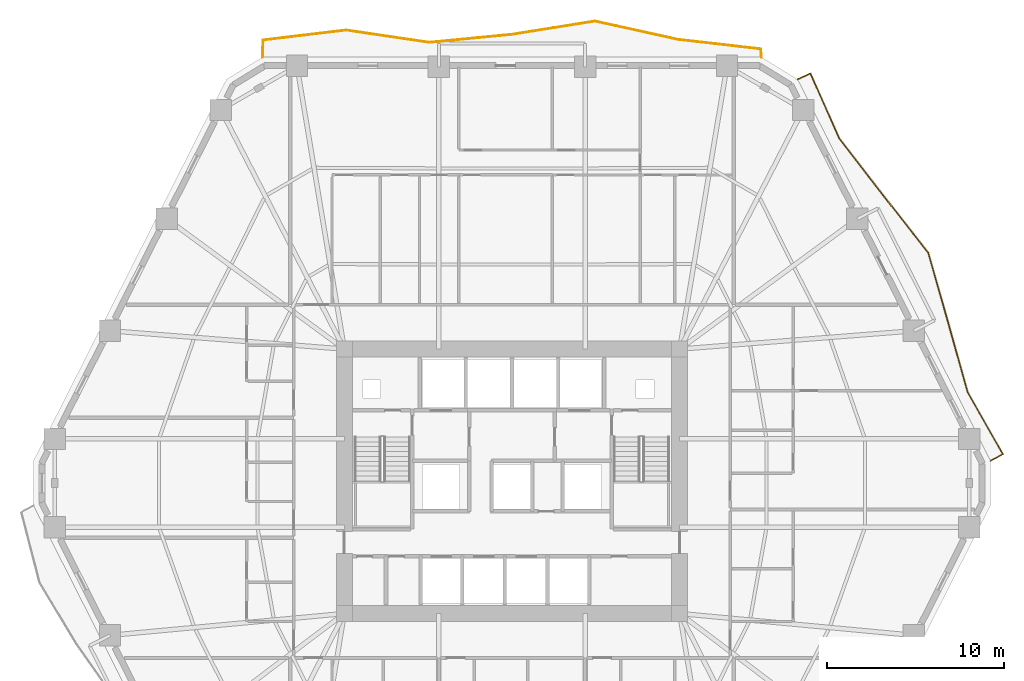
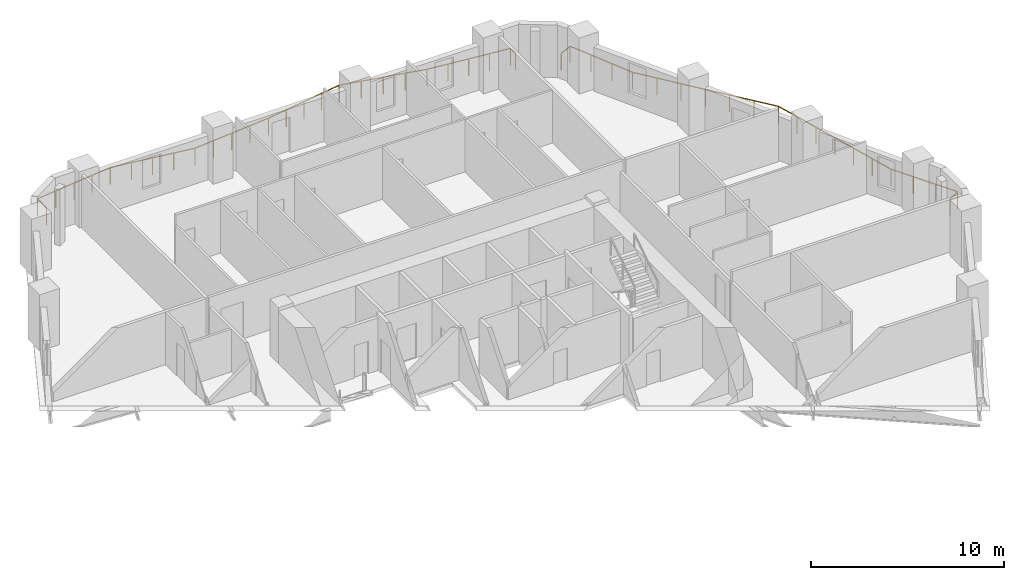
# One storey, part 11 of 11: 2 railings.
"""IFC4 building model written with IfcOpenShell, lengths in metres."""

from ifc_helpers import new_model, si_unit, direction, frame, origin, origin_2d, place, context, subcontext, project, spatial, rectangle, extrude, material, type_object, element, save


model = new_model("IFC4")

# Units and contexts
model_context = context("Model", 3, precision=1e-05, world=origin(), true_north=direction((0.0, 1.0)))
body_context = subcontext(model_context, "Body", "Model", "MODEL_VIEW")
ifc_project = project(units=[si_unit("LENGTHUNIT", "METRE"), si_unit("AREAUNIT", "SQUARE_METRE"), si_unit("VOLUMEUNIT", "CUBIC_METRE"), si_unit("PLANEANGLEUNIT", "RADIAN"), si_unit("MASSUNIT", "GRAM", prefix="KILO")], contexts=[model_context])

# Site, building, storey
site_placement = place(None, origin())
site = spatial("IfcSite", under=ifc_project, at=site_placement, CompositionType="ELEMENT")
building_placement = place(site_placement, origin())
building = spatial("IfcBuilding", under=site, at=building_placement, Name="Cinnabar Lancet Tower", CompositionType="ELEMENT")
storey_placement = place(building_placement, frame((0.0, 0.0, 42.64990234375)))
storey = spatial("IfcBuildingStorey", under=building, at=storey_placement, Name="L10", CompositionType="ELEMENT", Elevation=42.64990234375)

# Railings
ifc_material = material(Name="Laminated safety glass and bronze stainless steel balustrade", Category="steel")
railing_type = type_object("IfcRailingType", Name="ENV-RLG-BAL-1100", PredefinedType="BALUSTRADE", material=ifc_material)
railing_1_placement = place(storey_placement, frame((59.367919921875, 27.049072265625, 0.0)))
element("IfcRailing", 1, at=railing_1_placement, inside=storey, type_object=railing_type, Name="L10 Face 3 Wave Balcony Balustrade", PredefinedType="BALUSTRADE", context=body_context, shape_type="SweptSolid", body=[
    extrude(rectangle(XDim=0.048095703125, YDim=0.048095703125, at=origin_2d()), frame((0.0, 0.0, 1.076171875), z_axis=(0.875595888351, 0.483044346104, 0.0), x_axis=(-0.483044346104, 0.875595888351, 0.0)), (0.0, 0.0, 1.0), 0.782470703125),
    extrude(rectangle(XDim=0.048095703125, YDim=0.048095703125, at=origin_2d()), frame((0.68505859375, 0.3779296875, 1.076171875), z_axis=(-0.493554512608, 0.869714863093, 0.0), x_axis=(-0.869714863093, -0.493554512608, 0.0)), (0.0, 0.0, 1.0), 4.01171875),
    extrude(rectangle(XDim=0.048095703125, YDim=0.048095703125, at=origin_2d()), frame((-1.294921875, 3.866943359375, 1.076171875), z_axis=(-0.269363836925, 0.963038484878, 0.0), x_axis=(-0.963038484878, -0.269363836925, 0.0)), (0.0, 0.0, 1.0), 4.083984375),
    extrude(rectangle(XDim=0.048095703125, YDim=0.048095703125, at=origin_2d()), frame((-2.39501953125, 7.800048828125, 1.076171875), z_axis=(-0.274286350209, 0.961648063529, 0.0), x_axis=(-0.961648063529, -0.274286350209, 0.0)), (0.0, 0.0, 1.0), 4.079345703125),
    extrude(rectangle(XDim=0.048095703125, YDim=0.048095703125, at=origin_2d()), frame((-3.513916015625, 11.722900390625, 1.076171875), z_axis=(-0.616862645434, 0.787070820618, 0.0), x_axis=(-0.787070820618, -0.616862645434, 0.0)), (0.0, 0.0, 1.0), 4.083740234375),
    extrude(rectangle(XDim=0.048095703125, YDim=0.048095703125, at=origin_2d()), frame((-6.032958984375, 14.93701171875, 1.076171875), z_axis=(-0.61137254975, 0.791342912657, 0.0), x_axis=(-0.791342912657, -0.61137254975, 0.0)), (0.0, 0.0, 1.0), 4.0791015625),
    extrude(rectangle(XDim=0.048095703125, YDim=0.048095703125, at=origin_2d()), frame((-8.52685546875, 18.1650390625, 1.076171875), z_axis=(-0.405167370469, 0.914242529041, 0.0), x_axis=(-0.914242529041, -0.405167370469, 0.0)), (0.0, 0.0, 1.0), 4.01318359375),
    extrude(rectangle(XDim=0.048095703125, YDim=0.048095703125, at=origin_2d()), frame((-10.15283203125, 21.833984375, 1.076171875), z_axis=(-0.909632806812, -0.415413236153, 0.0), x_axis=(0.415413236153, -0.909632806812, 0.0)), (0.0, 0.0, 1.0), 0.79931640625),
    extrude(rectangle(XDim=0.0419921875, YDim=0.0419921875, at=origin_2d()), origin(), (0.0, 0.0, 1.0), 1.052001953125),
    extrude(rectangle(XDim=0.0419921875, YDim=0.0419921875, at=origin_2d()), frame((0.68505859375, 0.3779296875, 0.0)), (0.0, 0.0, 1.0), 1.052001953125),
    extrude(rectangle(XDim=0.0419921875, YDim=0.0419921875, at=origin_2d()), frame((0.025146484375, 1.541015625, 0.0)), (0.0, 0.0, 1.0), 1.052001953125),
    extrude(rectangle(XDim=0.0419921875, YDim=0.0419921875, at=origin_2d()), frame((-0.635009765625, 2.703857421875, 0.0)), (0.0, 0.0, 1.0), 1.052001953125),
    extrude(rectangle(XDim=0.0419921875, YDim=0.0419921875, at=origin_2d()), frame((-1.294921875, 3.866943359375, 0.0)), (0.0, 0.0, 1.0), 1.052001953125),
    extrude(rectangle(XDim=0.0419921875, YDim=0.0419921875, at=origin_2d()), frame((-1.66162109375, 5.177978515625, 0.0)), (0.0, 0.0, 1.0), 1.052001953125),
    extrude(rectangle(XDim=0.0419921875, YDim=0.0419921875, at=origin_2d()), frame((-2.0283203125, 6.489013671875, 0.0)), (0.0, 0.0, 1.0), 1.052001953125),
    extrude(rectangle(XDim=0.0419921875, YDim=0.0419921875, at=origin_2d()), frame((-2.39501953125, 7.800048828125, 0.0)), (0.0, 0.0, 1.0), 1.052001953125),
    extrude(rectangle(XDim=0.0419921875, YDim=0.0419921875, at=origin_2d()), frame((-2.76806640625, 9.107666015625, 0.0)), (0.0, 0.0, 1.0), 1.052001953125),
    extrude(rectangle(XDim=0.0419921875, YDim=0.0419921875, at=origin_2d()), frame((-3.140869140625, 10.415283203125, 0.0)), (0.0, 0.0, 1.0), 1.052001953125),
    extrude(rectangle(XDim=0.0419921875, YDim=0.0419921875, at=origin_2d()), frame((-3.513916015625, 11.722900390625, 0.0)), (0.0, 0.0, 1.0), 1.052001953125),
    extrude(rectangle(XDim=0.0419921875, YDim=0.0419921875, at=origin_2d()), frame((-4.353515625, 12.794189453125, 0.0)), (0.0, 0.0, 1.0), 1.052001953125),
    extrude(rectangle(XDim=0.0419921875, YDim=0.0419921875, at=origin_2d()), frame((-5.193359375, 13.86572265625, 0.0)), (0.0, 0.0, 1.0), 1.052001953125),
    extrude(rectangle(XDim=0.0419921875, YDim=0.0419921875, at=origin_2d()), frame((-6.032958984375, 14.93701171875, 0.0)), (0.0, 0.0, 1.0), 1.052001953125),
    extrude(rectangle(XDim=0.0419921875, YDim=0.0419921875, at=origin_2d()), frame((-6.8642578125, 16.012939453125, 0.0)), (0.0, 0.0, 1.0), 1.052001953125),
    extrude(rectangle(XDim=0.0419921875, YDim=0.0419921875, at=origin_2d()), frame((-7.695556640625, 17.089111328125, 0.0)), (0.0, 0.0, 1.0), 1.052001953125),
    extrude(rectangle(XDim=0.0419921875, YDim=0.0419921875, at=origin_2d()), frame((-8.52685546875, 18.1650390625, 0.0)), (0.0, 0.0, 1.0), 1.052001953125),
    extrude(rectangle(XDim=0.0419921875, YDim=0.0419921875, at=origin_2d()), frame((-9.06884765625, 19.387939453125, 0.0)), (0.0, 0.0, 1.0), 1.052001953125),
    extrude(rectangle(XDim=0.0419921875, YDim=0.0419921875, at=origin_2d()), frame((-9.61083984375, 20.611083984375, 0.0)), (0.0, 0.0, 1.0), 1.052001953125),
    extrude(rectangle(XDim=0.0419921875, YDim=0.0419921875, at=origin_2d()), frame((-10.15283203125, 21.833984375, 0.0)), (0.0, 0.0, 1.0), 1.052001953125),
    extrude(rectangle(XDim=0.0419921875, YDim=0.0419921875, at=origin_2d()), frame((-10.8798828125, 21.501953125, 0.0)), (0.0, 0.0, 1.0), 1.052001953125),
])
railing_2_placement = place(storey_placement, frame((46.4560546875, 49.800048828125, 0.0)))
element("IfcRailing", 2, at=railing_2_placement, inside=storey, type_object=railing_type, Name="L10 Face 4 Wave Balcony Balustrade", PredefinedType="BALUSTRADE", context=body_context, shape_type="SweptSolid", body=[
    extrude(rectangle(XDim=0.048095703125, YDim=0.048095703125, at=origin_2d()), frame((0.0, 0.0, 1.076171875), z_axis=(-0.076696498885, 0.997054485502, 0.0), x_axis=(-0.997054485502, -0.076696498885, 0.0)), (0.0, 0.0, 1.0), 0.45849609375),
    extrude(rectangle(XDim=0.048095703125, YDim=0.048095703125, at=origin_2d()), frame((-0.03515625, 0.45703125, 1.076171875), z_axis=(-0.993517110016, 0.11368268164, 0.0), x_axis=(-0.11368268164, -0.993517110016, 0.0)), (0.0, 0.0, 1.0), 4.705322265625),
    extrude(rectangle(XDim=0.048095703125, YDim=0.048095703125, at=origin_2d()), frame((-4.7099609375, 0.991943359375, 1.076171875), z_axis=(-0.976473089427, 0.215639295178, 0.0), x_axis=(-0.215639295178, -0.976473089427, 0.0)), (0.0, 0.0, 1.0), 4.78564453125),
    extrude(rectangle(XDim=0.048095703125, YDim=0.048095703125, at=origin_2d()), frame((-9.383056640625, 2.02392578125, 1.076171875), z_axis=(-0.987429040266, -0.158062931894, 0.0), x_axis=(0.158062931894, -0.987429040266, 0.0)), (0.0, 0.0, 1.0), 4.732666015625),
    extrude(rectangle(XDim=0.048095703125, YDim=0.048095703125, at=origin_2d()), frame((-14.05615234375, 1.27587890625, 1.076171875), z_axis=(-0.995394149693, -0.095867026436, 0.0), x_axis=(0.095867026436, -0.995394149693, 0.0)), (0.0, 0.0, 1.0), 4.693603515625),
    extrude(rectangle(XDim=0.048095703125, YDim=0.048095703125, at=origin_2d()), frame((-18.72802734375, 0.825927734375, 1.076171875), z_axis=(-0.989217603289, 0.14645317799, 0.0), x_axis=(-0.14645317799, -0.989217603289, 0.0)), (0.0, 0.0, 1.0), 4.72607421875),
    extrude(rectangle(XDim=0.048095703125, YDim=0.048095703125, at=origin_2d()), frame((-23.403076171875, 1.51806640625, 1.076171875), z_axis=(-0.992949526252, -0.118537919318, 0.0), x_axis=(0.118537919318, -0.992949526252, 0.0)), (0.0, 0.0, 1.0), 4.708251953125),
    extrude(rectangle(XDim=0.048095703125, YDim=0.048095703125, at=origin_2d()), frame((-28.078125, 0.9599609375, 1.076171875), z_axis=(-0.035328898222, -0.999375739625, 0.0), x_axis=(0.999375739625, -0.035328898222, 0.0)), (0.0, 0.0, 1.0), 0.96044921875),
    extrude(rectangle(XDim=0.0419921875, YDim=0.0419921875, at=origin_2d()), origin(), (0.0, 0.0, 1.0), 1.052001953125),
    extrude(rectangle(XDim=0.0419921875, YDim=0.0419921875, at=origin_2d()), frame((-0.03515625, 0.45703125, 0.0)), (0.0, 0.0, 1.0), 1.052001953125),
    extrude(rectangle(XDim=0.0419921875, YDim=0.0419921875, at=origin_2d()), frame((-1.203857421875, 0.5908203125, 0.0)), (0.0, 0.0, 1.0), 1.052001953125),
    extrude(rectangle(XDim=0.0419921875, YDim=0.0419921875, at=origin_2d()), frame((-2.37255859375, 0.724609375, 0.0)), (0.0, 0.0, 1.0), 1.052001953125),
    extrude(rectangle(XDim=0.0419921875, YDim=0.0419921875, at=origin_2d()), frame((-3.541259765625, 0.858154296875, 0.0)), (0.0, 0.0, 1.0), 1.052001953125),
    extrude(rectangle(XDim=0.0419921875, YDim=0.0419921875, at=origin_2d()), frame((-4.7099609375, 0.991943359375, 0.0)), (0.0, 0.0, 1.0), 1.052001953125),
    extrude(rectangle(XDim=0.0419921875, YDim=0.0419921875, at=origin_2d()), frame((-5.878173828125, 1.25, 0.0)), (0.0, 0.0, 1.0), 1.052001953125),
    extrude(rectangle(XDim=0.0419921875, YDim=0.0419921875, at=origin_2d()), frame((-7.04638671875, 1.5078125, 0.0)), (0.0, 0.0, 1.0), 1.052001953125),
    extrude(rectangle(XDim=0.0419921875, YDim=0.0419921875, at=origin_2d()), frame((-8.21484375, 1.765869140625, 0.0)), (0.0, 0.0, 1.0), 1.052001953125),
    extrude(rectangle(XDim=0.0419921875, YDim=0.0419921875, at=origin_2d()), frame((-9.383056640625, 2.02392578125, 0.0)), (0.0, 0.0, 1.0), 1.052001953125),
    extrude(rectangle(XDim=0.0419921875, YDim=0.0419921875, at=origin_2d()), frame((-10.55126953125, 1.8369140625, 0.0)), (0.0, 0.0, 1.0), 1.052001953125),
    extrude(rectangle(XDim=0.0419921875, YDim=0.0419921875, at=origin_2d()), frame((-11.7197265625, 1.64990234375, 0.0)), (0.0, 0.0, 1.0), 1.052001953125),
    extrude(rectangle(XDim=0.0419921875, YDim=0.0419921875, at=origin_2d()), frame((-12.887939453125, 1.462890625, 0.0)), (0.0, 0.0, 1.0), 1.052001953125),
    extrude(rectangle(XDim=0.0419921875, YDim=0.0419921875, at=origin_2d()), frame((-14.05615234375, 1.27587890625, 0.0)), (0.0, 0.0, 1.0), 1.052001953125),
    extrude(rectangle(XDim=0.0419921875, YDim=0.0419921875, at=origin_2d()), frame((-15.22412109375, 1.163330078125, 0.0)), (0.0, 0.0, 1.0), 1.052001953125),
    extrude(rectangle(XDim=0.0419921875, YDim=0.0419921875, at=origin_2d()), frame((-16.39208984375, 1.05078125, 0.0)), (0.0, 0.0, 1.0), 1.052001953125),
    extrude(rectangle(XDim=0.0419921875, YDim=0.0419921875, at=origin_2d()), frame((-17.56005859375, 0.9384765625, 0.0)), (0.0, 0.0, 1.0), 1.052001953125),
    extrude(rectangle(XDim=0.0419921875, YDim=0.0419921875, at=origin_2d()), frame((-18.72802734375, 0.825927734375, 0.0)), (0.0, 0.0, 1.0), 1.052001953125),
    extrude(rectangle(XDim=0.0419921875, YDim=0.0419921875, at=origin_2d()), frame((-19.896728515625, 0.9990234375, 0.0)), (0.0, 0.0, 1.0), 1.052001953125),
    extrude(rectangle(XDim=0.0419921875, YDim=0.0419921875, at=origin_2d()), frame((-21.0654296875, 1.171875, 0.0)), (0.0, 0.0, 1.0), 1.052001953125),
    extrude(rectangle(XDim=0.0419921875, YDim=0.0419921875, at=origin_2d()), frame((-22.234375, 1.344970703125, 0.0)), (0.0, 0.0, 1.0), 1.052001953125),
    extrude(rectangle(XDim=0.0419921875, YDim=0.0419921875, at=origin_2d()), frame((-23.403076171875, 1.51806640625, 0.0)), (0.0, 0.0, 1.0), 1.052001953125),
    extrude(rectangle(XDim=0.0419921875, YDim=0.0419921875, at=origin_2d()), frame((-24.57177734375, 1.37841796875, 0.0)), (0.0, 0.0, 1.0), 1.052001953125),
    extrude(rectangle(XDim=0.0419921875, YDim=0.0419921875, at=origin_2d()), frame((-25.74072265625, 1.239013671875, 0.0)), (0.0, 0.0, 1.0), 1.052001953125),
    extrude(rectangle(XDim=0.0419921875, YDim=0.0419921875, at=origin_2d()), frame((-26.909423828125, 1.099609375, 0.0)), (0.0, 0.0, 1.0), 1.052001953125),
    extrude(rectangle(XDim=0.0419921875, YDim=0.0419921875, at=origin_2d()), frame((-28.078125, 0.9599609375, 0.0)), (0.0, 0.0, 1.0), 1.052001953125),
    extrude(rectangle(XDim=0.0419921875, YDim=0.0419921875, at=origin_2d()), frame((-28.112060546875, 0.0, 0.0)), (0.0, 0.0, 1.0), 1.052001953125),
])

save(model, "model.ifc")
